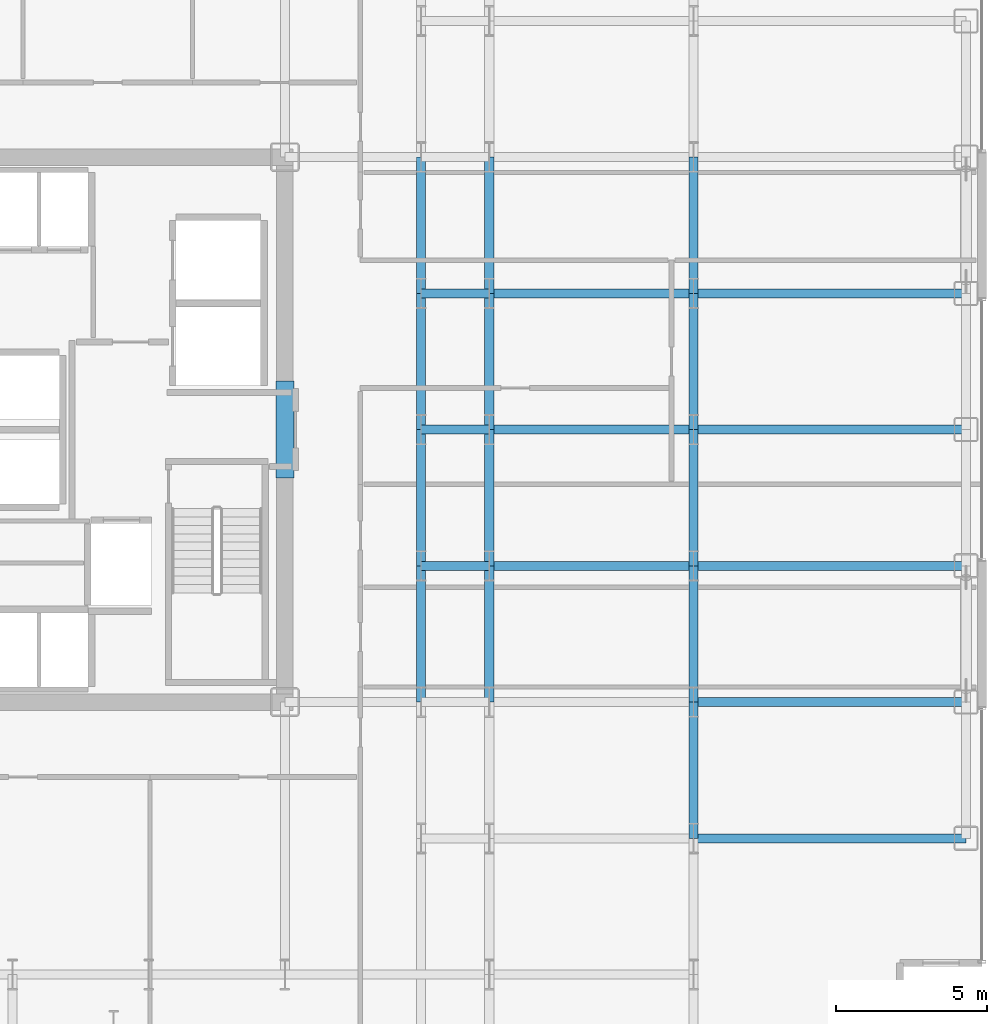
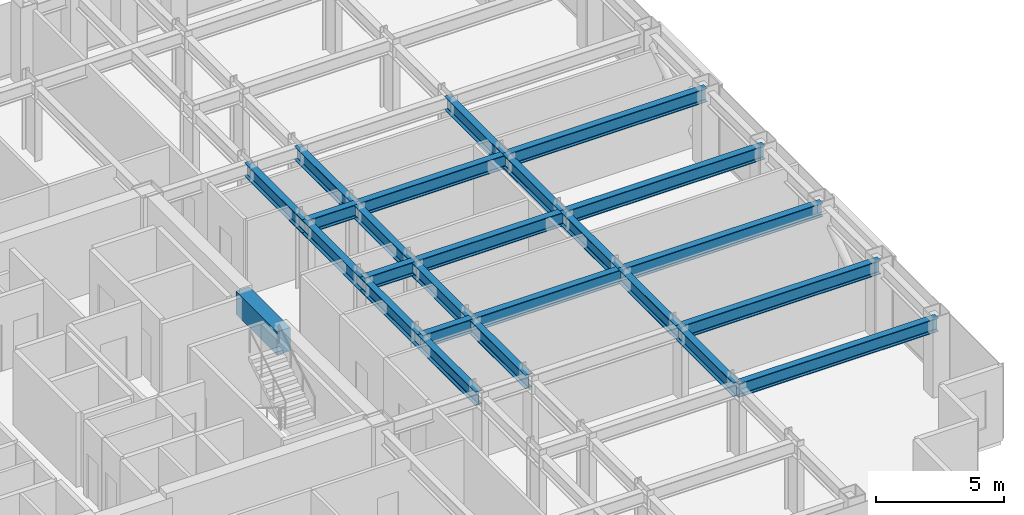
# One storey, part 10 of 29: 25 beams.
"""IFC4 building model written with IfcOpenShell, lengths in metres."""

from ifc_helpers import new_model, si_unit, direction, frame, origin, origin_2d, place, context, subcontext, project, spatial, rectangle, i_section, extrude, source, transform, mapped, material, material_profile, profile_set, type_object, element, save


model = new_model("IFC4")

# Units and contexts
model_context = context("Model", 3, precision=1e-05, world=origin(), true_north=direction((0.0, 1.0)))
body_context = subcontext(model_context, "Body", "Model", "MODEL_VIEW")
ifc_project = project(units=[si_unit("LENGTHUNIT", "METRE"), si_unit("AREAUNIT", "SQUARE_METRE"), si_unit("VOLUMEUNIT", "CUBIC_METRE"), si_unit("PLANEANGLEUNIT", "RADIAN"), si_unit("MASSUNIT", "GRAM", prefix="KILO")], contexts=[model_context])

# Site, building, storey
site_placement = place(None, origin())
site = spatial("IfcSite", under=ifc_project, at=site_placement, CompositionType="ELEMENT")
building_placement = place(site_placement, origin())
building = spatial("IfcBuilding", under=site, at=building_placement, Name="Nefas-Gora Pilgrimage Tower", CompositionType="ELEMENT")
storey_placement = place(building_placement, frame((0.0, 0.0, 136.39990234375)))
storey = spatial("IfcBuildingStorey", under=building, at=storey_placement, Name="L33", CompositionType="ELEMENT", Elevation=136.39990234375)

# Beams
ifc_material_1 = material(Name="Concrete C60/75", Category="concrete")
ifc_material_profile_1 = material_profile(ifc_material_1, rectangle(XDim=0.60009765625, YDim=1.10009765625, at=origin_2d()), Name="RC 600x1100")
ifc_profile_set_1 = profile_set([ifc_material_profile_1], Name="Concrete C60/75")
beam_type_1 = type_object("IfcBeamType", Name="BM-LIN-RC1100", PredefinedType="LINTEL", material=ifc_profile_set_1)
shared_shape_1 = source(origin(), body_context, "Body", "SweptSolid", [
    extrude(rectangle(XDim=0.60009765625, YDim=1.10009765625, at=origin_2d()), origin(), (0.0, 0.0, 1.0), 3.2001953125),
])
beam_placement = place(storey_placement, frame((11.25, -1.60009765625, 3.0), z_axis=(0.0, 1.0, 0.0), x_axis=(-1.0, 0.0, 0.0)))
element("IfcBeam", 1, at=beam_placement, inside=storey, type_object=beam_type_1, Name="L33 Core Coupling Lintel Beam E", PredefinedType="LINTEL", context=body_context, shape_type="MappedRepresentation", body=[
    mapped(shared_shape_1, transform((0.0, 0.0, 0.0), x_axis=(1.0, 0.0, 0.0), y_axis=(0.0, 1.0, 0.0), z_axis=(0.0, 0.0, 1.0), scale=1.0)),
])
ifc_material_2 = material(Name="Steel S355", Category="steel")
ifc_material_profile_2 = material_profile(ifc_material_2, i_section(OverallWidth=0.300048828125, OverallDepth=0.64990234375, WebThickness=0.01611328125, FlangeThickness=0.031005859375, FilletRadius=0.027099609375, at=origin_2d()), Name="HEB 650")
ifc_profile_set_2 = profile_set([ifc_material_profile_2], Name="Steel S355")
beam_type_2 = type_object("IfcBeamType", Name="BM-GIR-HEB650", PredefinedType="BEAM", material=ifc_profile_set_2)
shared_shape_2 = source(origin(), body_context, "Body", "SweptSolid", [
    extrude(i_section(OverallWidth=0.300048828125, OverallDepth=0.64990234375, WebThickness=0.01611328125, FlangeThickness=0.031005859375, FilletRadius=0.027099609375, at=origin_2d()), origin(), (0.0, 0.0, 1.0), 9.0),
])
for number, where, z_axis, x_axis, name in (
    (2, (24.75, -13.5, 3.22509765625), (1.0, 0.0, 0.0), (0.0, 1.0, 0.0), "L33 G-03 beam"),
    (3, (24.75, -9.0, 3.22509765625), (1.0, 0.0, 0.0), (0.0, 1.0, 0.0), "L33 G-03 beam"),
    (4, (24.75, -4.5, 3.22509765625), (1.0, 0.0, 0.0), (0.0, 1.0, 0.0), "L33 G-03 beam"),
    (5, (24.75, 0.0, 3.22509765625), (1.0, 0.0, 0.0), (0.0, 1.0, 0.0), "L33 G-03 beam"),
    (6, (24.75, 4.5, 3.22509765625), (1.0, 0.0, 0.0), (0.0, 1.0, 0.0), "L33 G-03 beam"),
):
    element("IfcBeam", number, at=place(storey_placement, frame(where, z_axis=z_axis, x_axis=x_axis)), inside=storey, type_object=beam_type_2, Name=name, PredefinedType="BEAM", context=body_context, shape_type="MappedRepresentation", body=[
        mapped(shared_shape_2, transform((0.0, 0.0, 0.0), x_axis=(1.0, 0.0, 0.0), y_axis=(0.0, 1.0, 0.0), z_axis=(0.0, 0.0, 1.0), scale=1.0)),
    ])
shared_shape_3 = source(origin(), body_context, "Body", "SweptSolid", [
    extrude(i_section(OverallWidth=0.300048828125, OverallDepth=0.64990234375, WebThickness=0.01611328125, FlangeThickness=0.031005859375, FilletRadius=0.027099609375, at=origin_2d()), origin(), (0.0, 0.0, 1.0), 4.5),
])
for number, where, z_axis, x_axis, name in (
    (7, (15.75, -9.0, 3.22509765625), (0.0, 1.0, 0.0), (-1.0, 0.0, 0.0), "L33 G-03 beam"),
    (8, (15.75, -4.5, 3.22509765625), (0.0, 1.0, 0.0), (-1.0, 0.0, 0.0), "L33 G-03 beam"),
    (9, (15.75, 0.0, 3.22509765625), (0.0, 1.0, 0.0), (-1.0, 0.0, 0.0), "L33 G-03 beam"),
    (10, (15.75, 4.5, 3.22509765625), (0.0, 1.0, 0.0), (-1.0, 0.0, 0.0), "L33 G-03 beam"),
    (11, (18.0, -9.0, 3.22509765625), (0.0, 1.0, 0.0), (-1.0, 0.0, 0.0), "L33 G-03 beam"),
    (12, (18.0, -4.5, 3.22509765625), (0.0, 1.0, 0.0), (-1.0, 0.0, 0.0), "L33 G-03 beam"),
    (13, (18.0, 0.0, 3.22509765625), (0.0, 1.0, 0.0), (-1.0, 0.0, 0.0), "L33 G-03 beam"),
    (14, (18.0, 4.5, 3.22509765625), (0.0, 1.0, 0.0), (-1.0, 0.0, 0.0), "L33 G-03 beam"),
    (15, (24.75, -13.5, 3.22509765625), (0.0, 1.0, 0.0), (-1.0, 0.0, 0.0), "L33 G-03 beam"),
    (16, (24.75, -9.0, 3.22509765625), (0.0, 1.0, 0.0), (-1.0, 0.0, 0.0), "L33 G-03 beam"),
    (17, (24.75, -4.5, 3.22509765625), (0.0, 1.0, 0.0), (-1.0, 0.0, 0.0), "L33 G-03 beam"),
    (18, (24.75, 0.0, 3.22509765625), (0.0, 1.0, 0.0), (-1.0, 0.0, 0.0), "L33 G-03 beam"),
    (19, (24.75, 4.5, 3.22509765625), (0.0, 1.0, 0.0), (-1.0, 0.0, 0.0), "L33 G-03 beam"),
):
    element("IfcBeam", number, at=place(storey_placement, frame(where, z_axis=z_axis, x_axis=x_axis)), inside=storey, type_object=beam_type_2, Name=name, PredefinedType="BEAM", context=body_context, shape_type="MappedRepresentation", body=[
        mapped(shared_shape_3, transform((0.0, 0.0, 0.0), x_axis=(1.0, 0.0, 0.0), y_axis=(0.0, 1.0, 0.0), z_axis=(0.0, 0.0, 1.0), scale=1.0)),
    ])
shared_shape_4 = source(origin(), body_context, "Body", "SweptSolid", [
    extrude(i_section(OverallWidth=0.300048828125, OverallDepth=0.64990234375, WebThickness=0.01611328125, FlangeThickness=0.031005859375, FilletRadius=0.027099609375, at=origin_2d()), origin(), (0.0, 0.0, 1.0), 6.75),
])
for number, where, z_axis, x_axis, name in (
    (20, (18.0, -4.5, 3.22509765625), (1.0, 0.0, 0.0), (0.0, 1.0, 0.0), "L33 G-03 beam"),
    (21, (18.0, 0.0, 3.22509765625), (1.0, 0.0, 0.0), (0.0, 1.0, 0.0), "L33 G-03 beam"),
    (22, (18.0, 4.5, 3.22509765625), (1.0, 0.0, 0.0), (0.0, 1.0, 0.0), "L33 G-03 beam"),
):
    element("IfcBeam", number, at=place(storey_placement, frame(where, z_axis=z_axis, x_axis=x_axis)), inside=storey, type_object=beam_type_2, Name=name, PredefinedType="BEAM", context=body_context, shape_type="MappedRepresentation", body=[
        mapped(shared_shape_4, transform((0.0, 0.0, 0.0), x_axis=(1.0, 0.0, 0.0), y_axis=(0.0, 1.0, 0.0), z_axis=(0.0, 0.0, 1.0), scale=1.0)),
    ])
shared_shape_5 = source(origin(), body_context, "Body", "SweptSolid", [
    extrude(i_section(OverallWidth=0.300048828125, OverallDepth=0.64990234375, WebThickness=0.01611328125, FlangeThickness=0.031005859375, FilletRadius=0.027099609375, at=origin_2d()), origin(), (0.0, 0.0, 1.0), 2.25),
])
for number, where, z_axis, x_axis, name in (
    (23, (15.75, -4.5, 3.22509765625), (1.0, 0.0, 0.0), (0.0, 1.0, 0.0), "L33 G-03 beam"),
    (24, (15.75, 0.0, 3.22509765625), (1.0, 0.0, 0.0), (0.0, 1.0, 0.0), "L33 G-03 beam"),
    (25, (15.75, 4.5, 3.22509765625), (1.0, 0.0, 0.0), (0.0, 1.0, 0.0), "L33 G-03 beam"),
):
    element("IfcBeam", number, at=place(storey_placement, frame(where, z_axis=z_axis, x_axis=x_axis)), inside=storey, type_object=beam_type_2, Name=name, PredefinedType="BEAM", context=body_context, shape_type="MappedRepresentation", body=[
        mapped(shared_shape_5, transform((0.0, 0.0, 0.0), x_axis=(1.0, 0.0, 0.0), y_axis=(0.0, 1.0, 0.0), z_axis=(0.0, 0.0, 1.0), scale=1.0)),
    ])

save(model, "model.ifc")
